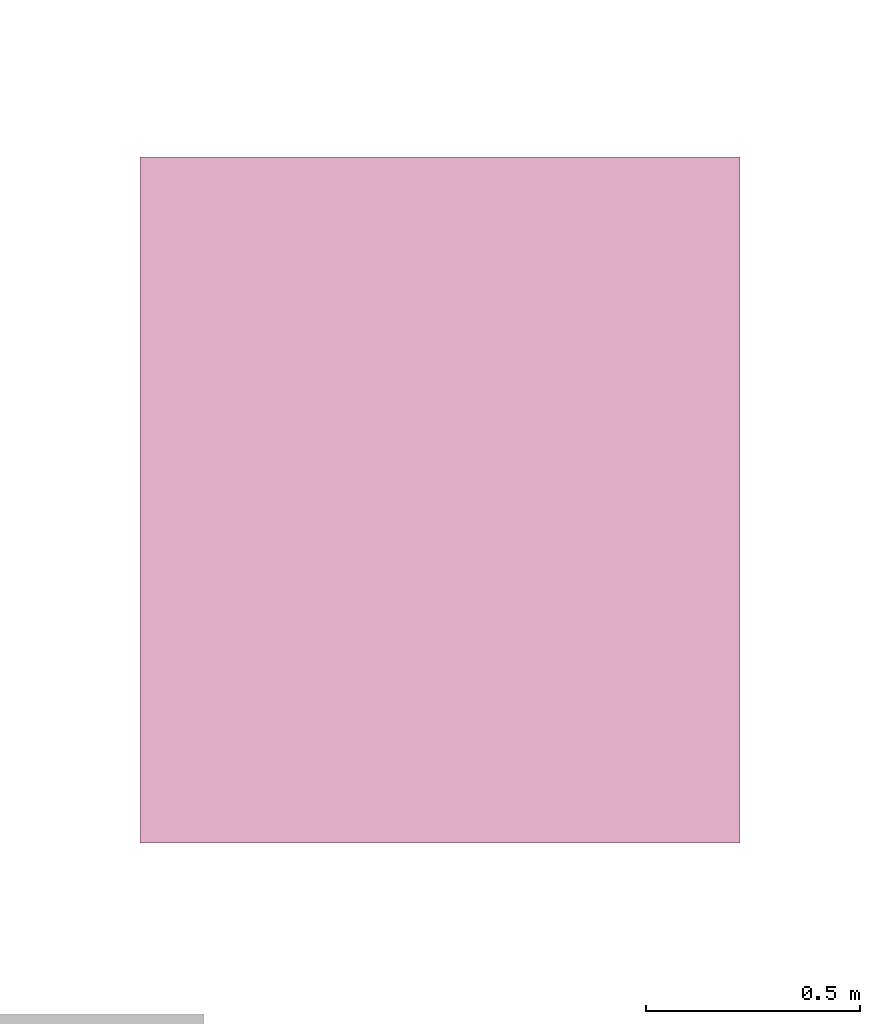
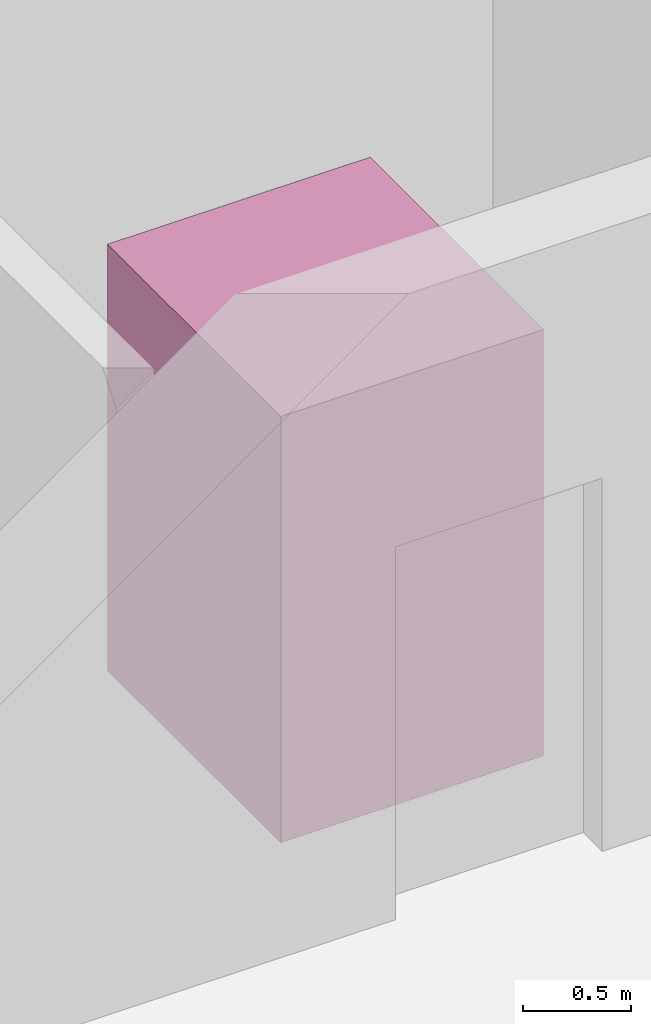
# One storey, part 9 of 9: 1 transport element.
"""IFC4 building model written with IfcOpenShell, lengths in metres."""

from ifc_helpers import new_model, si_unit, direction, frame, origin, origin_2d, place, context, subcontext, project, spatial, rectangle, extrude, source, transform, mapped, material, type_object, element, save


model = new_model("IFC4")

# Units and contexts
model_context = context("Model", 3, precision=1e-05, world=origin(), true_north=direction((0.0, 1.0)))
body_context = subcontext(model_context, "Body", "Model", "MODEL_VIEW")
ifc_project = project(units=[si_unit("LENGTHUNIT", "METRE"), si_unit("AREAUNIT", "SQUARE_METRE"), si_unit("VOLUMEUNIT", "CUBIC_METRE"), si_unit("PLANEANGLEUNIT", "RADIAN"), si_unit("MASSUNIT", "GRAM", prefix="KILO")], contexts=[model_context])

# Site, building, storey
site_placement = place(None, origin())
site = spatial("IfcSite", under=ifc_project, at=site_placement, CompositionType="ELEMENT")
building_placement = place(site_placement, origin())
building = spatial("IfcBuilding", under=site, at=building_placement, Name="Spindrift Exchange Tower", CompositionType="ELEMENT")
storey_placement = place(building_placement, frame((0.0, 0.0, 269.60009765625)))
storey = spatial("IfcBuildingStorey", under=building, at=storey_placement, Name="L66", CompositionType="ELEMENT", Elevation=269.60009765625)

# Transport element
ifc_material = material(Name="Stainless steel lift car", Category="steel")
transport_element_type = type_object("IfcTransportElementType", Name="LIFT-SERVICE-140", PredefinedType="ELEVATOR", material=ifc_material)
shared_shape = source(origin(), body_context, "Body", "SweptSolid", [
    extrude(rectangle(XDim=1.39990234375, YDim=1.60009765625, at=origin_2d()), origin(), (0.0, 0.0, 1.0), 2.39990234375),
])
transport_element_placement = place(storey_placement, frame((55.89990234375, 51.199951171875, 0.0), z_axis=(0.0, 0.0, 1.0), x_axis=(1.0, 0.0, 0.0)))
element("IfcTransportElement", 1, at=transport_element_placement, inside=storey, type_object=transport_element_type, Name="SC", PredefinedType="ELEVATOR", context=body_context, shape_type="MappedRepresentation", body=[
    mapped(shared_shape, transform((0.0, 0.0, 0.0), scale=1.0)),
])

save(model, "model.ifc")
